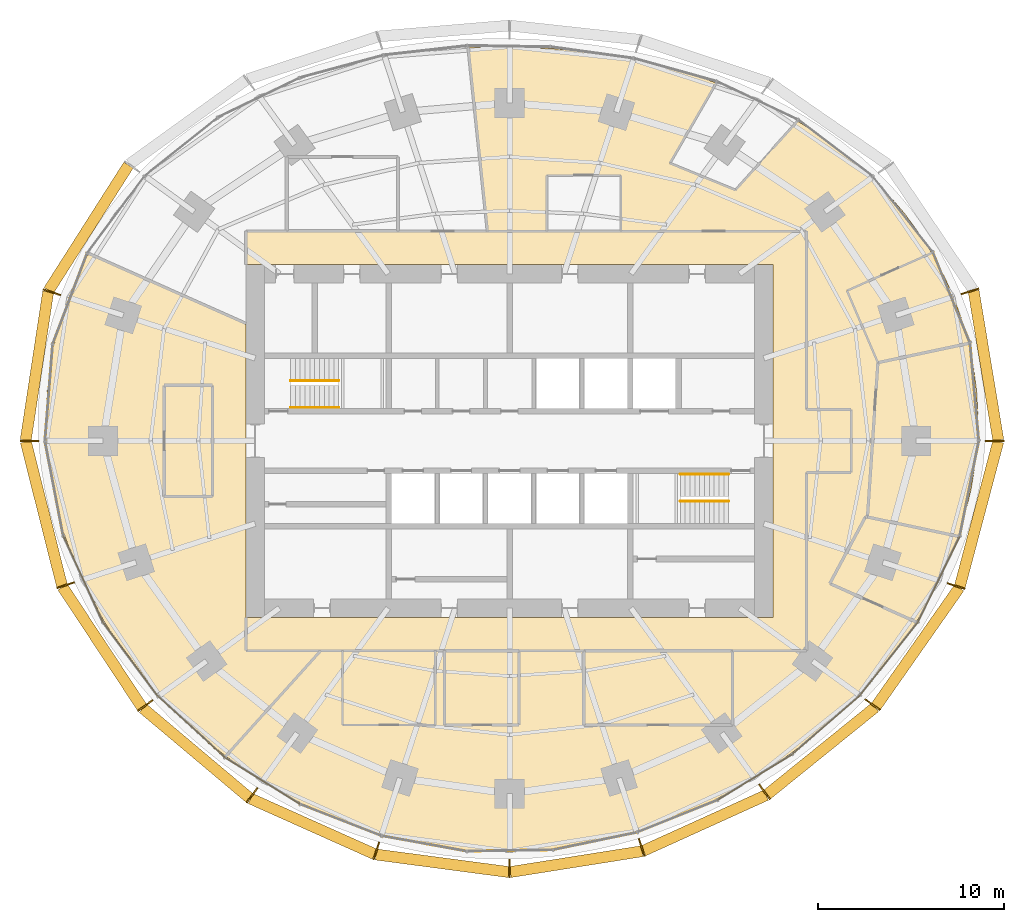
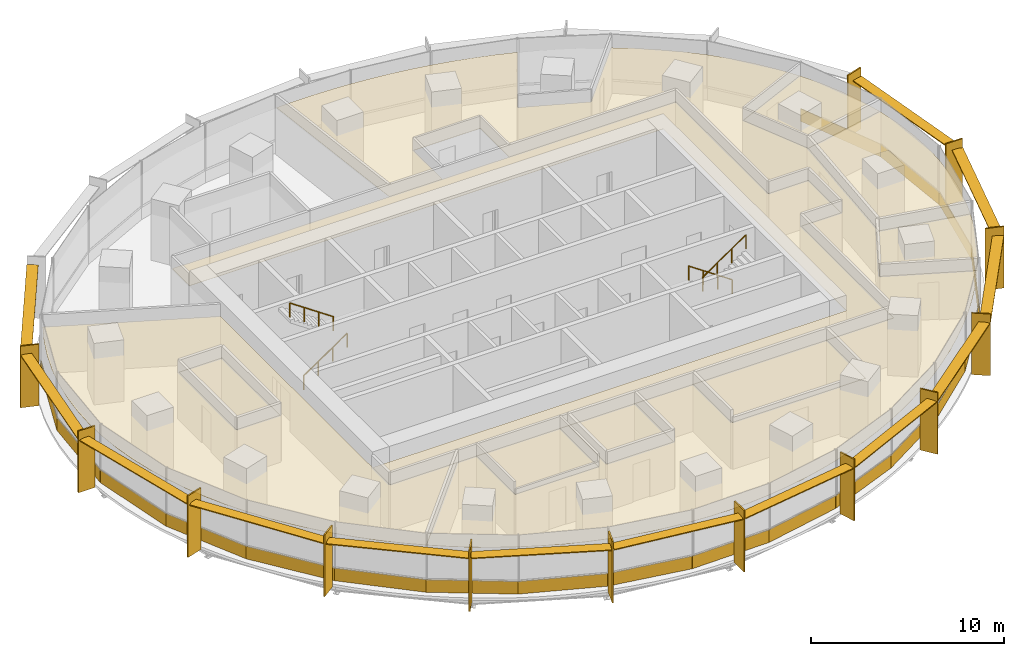
# One storey, part 13 of 14: 29 coverings, 26 shading devices, 4 railings.
"""IFC4 building model written with IfcOpenShell, lengths in metres."""

from ifc_helpers import new_model, si_unit, direction, frame, origin, origin_2d, place, context, subcontext, project, spatial, polyline, rectangle, circle, outline, extrude, material, layer, layer_set, type_object, element, save


model = new_model("IFC4")

# Units and contexts
model_context = context("Model", 3, precision=1e-05, world=origin(), true_north=direction((0.0, 1.0)))
body_context = subcontext(model_context, "Body", "Model", "MODEL_VIEW")
ifc_project = project(units=[si_unit("LENGTHUNIT", "METRE"), si_unit("AREAUNIT", "SQUARE_METRE"), si_unit("VOLUMEUNIT", "CUBIC_METRE"), si_unit("PLANEANGLEUNIT", "RADIAN"), si_unit("MASSUNIT", "GRAM", prefix="KILO")], contexts=[model_context])

# Site, building, storey
site_placement = place(None, origin())
site = spatial("IfcSite", under=ifc_project, at=site_placement, CompositionType="ELEMENT")
building_placement = place(site_placement, origin())
building = spatial("IfcBuilding", under=site, at=building_placement, Name="Marramba Exchange Tower", CompositionType="ELEMENT")
storey_placement = place(building_placement, frame((0.0, 0.0, 131.39990234375)))
storey = spatial("IfcBuildingStorey", under=building, at=storey_placement, Name="L31", CompositionType="ELEMENT", Elevation=131.39990234375)

# Shading devices
ifc_material_1 = material(Name="Aluminium blade, timber-look bronze finish", Category="wood")
ifc_layer_1 = layer(ifc_material_1, 0.080078125)
ifc_layer_set_1 = layer_set([ifc_layer_1], Name="Floor-edge blade 1000x80")
shading_device_type_1 = type_object("IfcShadingDeviceType", Name="Floor-edge blade 1000x80", PredefinedType="USERDEFINED", material=ifc_layer_set_1)
for number, where, z_axis, x_axis, name in (
    (1, (26.132080078125, 0.0, -0.159912109375), (0.0, 0.0, 1.0), (1.0, 0.0, 0.0), "Floor-edge blade FB1 L31 TC01"),
    (2, (24.798583984375, 8.0576171875, -0.159912109375), (0.0, 0.0, 1.0), (0.951056516295, 0.309016994375, 0.0), "Floor-edge blade FB1 L31 TC02"),
    (3, (-24.653076171875, 8.01025390625, -0.159912109375), (0.0, 0.0, 1.0), (-0.951056516295, 0.309016994375, 0.0), "Floor-edge blade FB1 L31 TC10"),
    (4, (-25.867919921875, 0.0, -0.159912109375), (0.0, 0.0, 1.0), (-1.0, 0.0, 0.0), "Floor-edge blade FB1 L31 TC11"),
    (5, (-23.90673828125, -7.767822265625, -0.159912109375), (0.0, 0.0, 1.0), (-0.951056516295, -0.309016994375, 0.0), "Floor-edge blade FB1 L31 TC12"),
    (6, (-19.618408203125, -14.253662109375, -0.159912109375), (0.0, 0.0, 1.0), (-0.809016994375, -0.587785252292, 0.0), "Floor-edge blade FB1 L31 TC13"),
    (7, (-13.866943359375, -19.08642578125, -0.159912109375), (0.0, 0.0, 1.0), (-0.587785252292, -0.809016994375, 0.0), "Floor-edge blade FB1 L31 TC14"),
    (8, (-7.173828125, -22.078857421875, -0.159912109375), (0.0, 0.0, 1.0), (-0.309016994375, -0.951056516295, 0.0), "Floor-edge blade FB1 L31 TC15"),
    (9, (0.0, -23.02685546875, -0.159912109375), (0.0, 0.0, 1.0), (0.0, -1.0, 0.0), "Floor-edge blade FB1 L31 TC16"),
    (10, (7.115966796875, -21.900634765625, -0.159912109375), (0.0, 0.0, 1.0), (0.309016994375, -0.951056516295, 0.0), "Floor-edge blade FB1 L31 TC17"),
    (11, (13.733154296875, -18.902099609375, -0.159912109375), (0.0, 0.0, 1.0), (0.587785252292, -0.809016994375, 0.0), "Floor-edge blade FB1 L31 TC18"),
    (12, (19.555908203125, -14.208251953125, -0.159912109375), (0.0, 0.0, 1.0), (0.809016994375, -0.587785252292, 0.0), "Floor-edge blade FB1 L31 TC19"),
    (13, (24.052001953125, -7.81494140625, -0.159912109375), (0.0, 0.0, 1.0), (0.951056516295, -0.309016994375, 0.0), "Floor-edge blade FB1 L31 TC20"),
):
    element("IfcShadingDevice", number, at=place(storey_placement, frame(where, z_axis=z_axis, x_axis=x_axis)), inside=storey, type_object=shading_device_type_1, Name=name, ObjectType="FIN", PredefinedType="USERDEFINED", context=body_context, shape_type="SweptSolid", body=[
        extrude(rectangle(XDim=1.0, YDim=0.080078125, at=origin_2d()), origin(), (0.0, 0.0, 1.0), 3.89990234375),
    ])
ifc_material_2 = material(Name="Aluminium sunshade, bronze anodised", Category="aluminium")
ifc_layer_2 = layer(ifc_material_2, 0.06005859375)
ifc_layer_set_2 = layer_set([ifc_layer_2], Name="SUNSHADE blade 600x60")
shading_device_type_2 = type_object("IfcShadingDeviceType", Name="SUNSHADE blade 600x60", PredefinedType="USERDEFINED", material=ifc_layer_set_2)
shading_device_1_placement = place(storey_placement, frame((25.660400390625, 4.0595703125, 3.16015625), z_axis=(0.0, 0.0, 1.0), x_axis=(-0.163227675764, 0.986588427798, 0.0)))
element("IfcShadingDevice", 14, at=shading_device_1_placement, inside=storey, type_object=shading_device_type_2, Name="Sunshade SS1 L31 bay 01", ObjectType="SUNSHADE", PredefinedType="USERDEFINED", context=body_context, shape_type="SweptSolid", body=[
    extrude(rectangle(XDim=8.149658203125, YDim=0.60009765625, at=origin_2d()), origin(), (0.0, 0.0, 1.0), 0.06005859375),
])
shading_device_2_placement = place(storey_placement, frame((-22.6708984375, 11.482421875, 3.16015625), z_axis=(0.0, 0.0, 1.0), x_axis=(-0.537284770546, -0.843400898351, 0.0)))
element("IfcShadingDevice", 15, at=shading_device_2_placement, inside=storey, type_object=shading_device_type_2, Name="Sunshade SS1 L31 bay 09", ObjectType="SUNSHADE", PredefinedType="USERDEFINED", context=body_context, shape_type="SweptSolid", body=[
    extrude(rectangle(XDim=8.007080078125, YDim=0.60009765625, at=origin_2d()), origin(), (0.0, 0.0, 1.0), 0.06005859375),
])
shading_device_3_placement = place(storey_placement, frame((-25.455810546875, 4.0361328125, 3.16015625), z_axis=(0.0, 0.0, 1.0), x_axis=(-0.14999307077, -0.988687047918, 0.0)))
element("IfcShadingDevice", 16, at=shading_device_3_placement, inside=storey, type_object=shading_device_type_2, Name="Sunshade SS1 L31 bay 10", ObjectType="SUNSHADE", PredefinedType="USERDEFINED", context=body_context, shape_type="SweptSolid", body=[
    extrude(rectangle(XDim=8.08447265625, YDim=0.60009765625, at=origin_2d()), origin(), (0.0, 0.0, 1.0), 0.06005859375),
])
shading_device_4_placement = place(storey_placement, frame((-25.08251953125, -3.914794921875, 3.16015625), z_axis=(0.0, 0.0, 1.0), x_axis=(0.244116522902, -0.969745906537, 0.0)))
element("IfcShadingDevice", 17, at=shading_device_4_placement, inside=storey, type_object=shading_device_type_2, Name="Sunshade SS1 L31 bay 11", ObjectType="SUNSHADE", PredefinedType="USERDEFINED", context=body_context, shape_type="SweptSolid", body=[
    extrude(rectangle(XDim=7.993896484375, YDim=0.60009765625, at=origin_2d()), origin(), (0.0, 0.0, 1.0), 0.06005859375),
])
shading_device_5_placement = place(storey_placement, frame((-21.938720703125, -11.100341796875, 3.16015625), z_axis=(0.0, 0.0, 1.0), x_axis=(0.550792342935, -0.834642315585, 0.0)))
element("IfcShadingDevice", 18, at=shading_device_5_placement, inside=storey, type_object=shading_device_type_2, Name="Sunshade SS1 L31 bay 12", ObjectType="SUNSHADE", PredefinedType="USERDEFINED", context=body_context, shape_type="SweptSolid", body=[
    extrude(rectangle(XDim=7.757568359375, YDim=0.60009765625, at=origin_2d()), origin(), (0.0, 0.0, 1.0), 0.06005859375),
])
shading_device_6_placement = place(storey_placement, frame((-16.88232421875, -16.8095703125, 3.16015625), z_axis=(0.0, 0.0, 1.0), x_axis=(0.76513863304, -0.643865569998, 0.0)))
element("IfcShadingDevice", 19, at=shading_device_6_placement, inside=storey, type_object=shading_device_type_2, Name="Sunshade SS1 L31 bay 13", ObjectType="SUNSHADE", PredefinedType="USERDEFINED", context=body_context, shape_type="SweptSolid", body=[
    extrude(rectangle(XDim=7.49462890625, YDim=0.60009765625, at=origin_2d()), origin(), (0.0, 0.0, 1.0), 0.06005859375),
])
shading_device_7_placement = place(storey_placement, frame((-10.610107421875, -20.758544921875, 3.16015625), z_axis=(0.0, 0.0, 1.0), x_axis=(0.912735880581, -0.408550134377, 0.0)))
element("IfcShadingDevice", 20, at=shading_device_7_placement, inside=storey, type_object=shading_device_type_2, Name="Sunshade SS1 L31 bay 14", ObjectType="SUNSHADE", PredefinedType="USERDEFINED", context=body_context, shape_type="SweptSolid", body=[
    extrude(rectangle(XDim=7.314208984375, YDim=0.60009765625, at=origin_2d()), origin(), (0.0, 0.0, 1.0), 0.06005859375),
])
shading_device_8_placement = place(storey_placement, frame((-3.617919921875, -22.748046875, 3.16015625), z_axis=(0.0, 0.0, 1.0), x_axis=(0.991350478855, -0.131241106646, 0.0)))
element("IfcShadingDevice", 21, at=shading_device_8_placement, inside=storey, type_object=shading_device_type_2, Name="Sunshade SS1 L31 bay 15", ObjectType="SUNSHADE", PredefinedType="USERDEFINED", context=body_context, shape_type="SweptSolid", body=[
    extrude(rectangle(XDim=7.21875, YDim=0.60009765625, at=origin_2d()), origin(), (0.0, 0.0, 1.0), 0.06005859375),
])
shading_device_9_placement = place(storey_placement, frame((3.5888671875, -22.658935546875, 3.16015625), z_axis=(0.0, 0.0, 1.0), x_axis=(0.987704817912, 0.15633039587, 0.0)))
element("IfcShadingDevice", 22, at=shading_device_9_placement, inside=storey, type_object=shading_device_type_2, Name="Sunshade SS1 L31 bay 16", ObjectType="SUNSHADE", PredefinedType="USERDEFINED", context=body_context, shape_type="SweptSolid", body=[
    extrude(rectangle(XDim=7.18701171875, YDim=0.60009765625, at=origin_2d()), origin(), (0.0, 0.0, 1.0), 0.06005859375),
])
shading_device_10_placement = place(storey_placement, frame((10.514404296875, -20.577392578125, 3.16015625), z_axis=(0.0, 0.0, 1.0), x_axis=(0.910692240548, 0.413085515366, 0.0)))
element("IfcShadingDevice", 23, at=shading_device_10_placement, inside=storey, type_object=shading_device_type_2, Name="Sunshade SS1 L31 bay 17", ObjectType="SUNSHADE", PredefinedType="USERDEFINED", context=body_context, shape_type="SweptSolid", body=[
    extrude(rectangle(XDim=7.24755859375, YDim=0.60009765625, at=origin_2d()), origin(), (0.0, 0.0, 1.0), 0.06005859375),
])
shading_device_11_placement = place(storey_placement, frame((16.7841796875, -16.69482421875, 3.16015625), z_axis=(0.0, 0.0, 1.0), x_axis=(0.777962439436, 0.628310785223, 0.0)))
element("IfcShadingDevice", 24, at=shading_device_11_placement, inside=storey, type_object=shading_device_type_2, Name="Sunshade SS1 L31 bay 18", ObjectType="SUNSHADE", PredefinedType="USERDEFINED", context=body_context, shape_type="SweptSolid", body=[
    extrude(rectangle(XDim=7.46142578125, YDim=0.60009765625, at=origin_2d()), origin(), (0.0, 0.0, 1.0), 0.06005859375),
])
shading_device_12_placement = place(storey_placement, frame((21.97998046875, -11.101318359375, 3.16015625), z_axis=(0.0, 0.0, 1.0), x_axis=(0.574350885858, 0.818609222959, 0.0)))
element("IfcShadingDevice", 25, at=shading_device_12_placement, inside=storey, type_object=shading_device_type_2, Name="Sunshade SS1 L31 bay 19", ObjectType="SUNSHADE", PredefinedType="USERDEFINED", context=body_context, shape_type="SweptSolid", body=[
    extrude(rectangle(XDim=7.7978515625, YDim=0.60009765625, at=origin_2d()), origin(), (0.0, 0.0, 1.0), 0.06005859375),
])
shading_device_13_placement = place(storey_placement, frame((25.287109375, -3.9384765625, 3.16015625), z_axis=(0.0, 0.0, 1.0), x_axis=(0.256422950151, 0.966564674833, 0.0)))
element("IfcShadingDevice", 26, at=shading_device_13_placement, inside=storey, type_object=shading_device_type_2, Name="Sunshade SS1 L31 bay 20", ObjectType="SUNSHADE", PredefinedType="USERDEFINED", context=body_context, shape_type="SweptSolid", body=[
    extrude(rectangle(XDim=8.0693359375, YDim=0.60009765625, at=origin_2d()), origin(), (0.0, 0.0, 1.0), 0.06005859375),
])

# Coverings
ifc_material_3 = material(Name="Aluminium spandrel panel, bronze anodised, insulated", Category="aluminium")
ifc_layer_3 = layer(ifc_material_3, 0.050048828125)
ifc_layer_set_3 = layer_set([ifc_layer_3], Name="Spandrel panel 800")
covering_type_1 = type_object("IfcCoveringType", Name="Spandrel panel 800", PredefinedType="CLADDING", material=ifc_layer_set_3)
covering_1_placement = place(storey_placement, frame((25.04541015625, 2.63671875, 0.0), z_axis=(0.0, 0.0, 1.0), x_axis=(-0.089412890131, 0.995994646109, 0.0)))
element("IfcCovering", 27, at=covering_1_placement, inside=storey, type_object=covering_type_1, Name="Spandrel panel SP1 L31 F01", PredefinedType="CLADDING", context=body_context, shape_type="SweptSolid", body=[
    extrude(rectangle(XDim=5.29443359375, YDim=0.050048828125, at=origin_2d()), origin(), (0.0, 0.0, 1.0), 0.800048828125),
])
covering_2_placement = place(storey_placement, frame((23.81201171875, 7.715576171875, 0.0), z_axis=(0.0, 0.0, 1.0), x_axis=(-0.377821185272, 0.925878583811, 0.0)))
element("IfcCovering", 28, at=covering_2_placement, inside=storey, type_object=covering_type_1, Name="Spandrel panel SP1 L31 F02", PredefinedType="CLADDING", context=body_context, shape_type="SweptSolid", body=[
    extrude(rectangle(XDim=5.27587890625, YDim=0.050048828125, at=origin_2d()), origin(), (0.0, 0.0, 1.0), 0.800048828125),
])
covering_3_placement = place(storey_placement, frame((-23.671875, 7.677490234375, 0.0), z_axis=(0.0, 0.0, 1.0), x_axis=(-0.354844476365, -0.934925343326, 0.0)))
element("IfcCovering", 29, at=covering_3_placement, inside=storey, type_object=covering_type_1, Name="Spandrel panel SP1 L31 F14", PredefinedType="CLADDING", context=body_context, shape_type="SweptSolid", body=[
    extrude(rectangle(XDim=5.2373046875, YDim=0.050048828125, at=origin_2d()), origin(), (0.0, 0.0, 1.0), 0.800048828125),
])
covering_4_placement = place(storey_placement, frame((-24.8095703125, 2.614501953125, 0.0), z_axis=(0.0, 0.0, 1.0), x_axis=(-0.079459700697, -0.996838079111, 0.0)))
element("IfcCovering", 30, at=covering_4_placement, inside=storey, type_object=covering_type_1, Name="Spandrel panel SP1 L31 F15", PredefinedType="CLADDING", context=body_context, shape_type="SweptSolid", body=[
    extrude(rectangle(XDim=5.245849609375, YDim=0.050048828125, at=origin_2d()), origin(), (0.0, 0.0, 1.0), 0.800048828125),
])
covering_5_placement = place(storey_placement, frame((-24.5283203125, -2.5546875, 0.0), z_axis=(0.0, 0.0, 1.0), x_axis=(0.188227222909, -0.982125507538, 0.0)))
element("IfcCovering", 31, at=covering_5_placement, inside=storey, type_object=covering_type_1, Name="Spandrel panel SP1 L31 F16", PredefinedType="CLADDING", context=body_context, shape_type="SweptSolid", body=[
    extrude(rectangle(XDim=5.20263671875, YDim=0.050048828125, at=origin_2d()), origin(), (0.0, 0.0, 1.0), 0.800048828125),
])
covering_6_placement = place(storey_placement, frame((-22.973876953125, -7.43212890625, 0.0), z_axis=(0.0, 0.0, 1.0), x_axis=(0.416737850896, -0.909026712275, 0.0)))
element("IfcCovering", 32, at=covering_6_placement, inside=storey, type_object=covering_type_1, Name="Spandrel panel SP1 L31 F17", PredefinedType="CLADDING", context=body_context, shape_type="SweptSolid", body=[
    extrude(rectangle(XDim=5.10986328125, YDim=0.050048828125, at=origin_2d()), origin(), (0.0, 0.0, 1.0), 0.800048828125),
])
covering_7_placement = place(storey_placement, frame((-20.419921875, -11.75439453125, 0.0), z_axis=(0.0, 0.0, 1.0), x_axis=(0.597304701232, -0.802014397555, 0.0)))
element("IfcCovering", 33, at=covering_7_placement, inside=storey, type_object=covering_type_1, Name="Spandrel panel SP1 L31 F18", PredefinedType="CLADDING", context=body_context, shape_type="SweptSolid", body=[
    extrude(rectangle(XDim=4.986572265625, YDim=0.050048828125, at=origin_2d()), origin(), (0.0, 0.0, 1.0), 0.800048828125),
])
covering_8_placement = place(storey_placement, frame((-17.135986328125, -15.39599609375, 0.0), z_axis=(0.0, 0.0, 1.0), x_axis=(0.737821889246, -0.674995451651, 0.0)))
element("IfcCovering", 34, at=covering_8_placement, inside=storey, type_object=covering_type_1, Name="Spandrel panel SP1 L31 F19", PredefinedType="CLADDING", context=body_context, shape_type="SweptSolid", body=[
    extrude(rectangle(XDim=4.865234375, YDim=0.050048828125, at=origin_2d()), origin(), (0.0, 0.0, 1.0), 0.800048828125),
])
covering_9_placement = place(storey_placement, frame((-13.31787109375, -18.300537109375, 0.0), z_axis=(0.0, 0.0, 1.0), x_axis=(0.848354599309, -0.529428440708, 0.0)))
element("IfcCovering", 35, at=covering_9_placement, inside=storey, type_object=covering_type_1, Name="Spandrel panel SP1 L31 F20", PredefinedType="CLADDING", context=body_context, shape_type="SweptSolid", body=[
    extrude(rectangle(XDim=4.76953125, YDim=0.050048828125, at=origin_2d()), origin(), (0.0, 0.0, 1.0), 0.800048828125),
])
covering_10_placement = place(storey_placement, frame((-9.10302734375, -20.416748046875, 0.0), z_axis=(0.0, 0.0, 1.0), x_axis=(0.931818387481, -0.362924913381, 0.0)))
element("IfcCovering", 36, at=covering_10_placement, inside=storey, type_object=covering_type_1, Name="Spandrel panel SP1 L31 F21", PredefinedType="CLADDING", context=body_context, shape_type="SweptSolid", body=[
    extrude(rectangle(XDim=4.704345703125, YDim=0.050048828125, at=origin_2d()), origin(), (0.0, 0.0, 1.0), 0.800048828125),
])
covering_11_placement = place(storey_placement, frame((-4.616943359375, -21.685302734375, 0.0), z_axis=(0.0, 0.0, 1.0), x_axis=(0.984031866928, -0.177992373069, 0.0)))
element("IfcCovering", 37, at=covering_11_placement, inside=storey, type_object=covering_type_1, Name="Spandrel panel SP1 L31 F22", PredefinedType="CLADDING", context=body_context, shape_type="SweptSolid", body=[
    extrude(rectangle(XDim=4.662841796875, YDim=0.050048828125, at=origin_2d()), origin(), (0.0, 0.0, 1.0), 0.800048828125),
])
covering_12_placement = place(storey_placement, frame((-0.003662109375, -22.065185546875, 0.0), z_axis=(0.0, 0.0, 1.0), x_axis=(0.999884797651, 0.015178650325, 0.0)))
element("IfcCovering", 38, at=covering_12_placement, inside=storey, type_object=covering_type_1, Name="Spandrel panel SP1 L31 F23", PredefinedType="CLADDING", context=body_context, shape_type="SweptSolid", body=[
    extrude(rectangle(XDim=4.638916015625, YDim=0.050048828125, at=origin_2d()), origin(), (0.0, 0.0, 1.0), 0.800048828125),
])
covering_13_placement = place(storey_placement, frame((4.58447265625, -21.56103515625, 0.0), z_axis=(0.0, 0.0, 1.0), x_axis=(0.979310200528, 0.202364846604, 0.0)))
element("IfcCovering", 39, at=covering_13_placement, inside=storey, type_object=covering_type_1, Name="Spandrel panel SP1 L31 F24", PredefinedType="CLADDING", context=body_context, shape_type="SweptSolid", body=[
    extrude(rectangle(XDim=4.6337890625, YDim=0.050048828125, at=origin_2d()), origin(), (0.0, 0.0, 1.0), 0.800048828125),
])
covering_14_placement = place(storey_placement, frame((9.014892578125, -20.225341796875, 0.0), z_axis=(0.0, 0.0, 1.0), x_axis=(0.928148914987, 0.372209069755, 0.0)))
element("IfcCovering", 40, at=covering_14_placement, inside=storey, type_object=covering_type_1, Name="Spandrel panel SP1 L31 F25", PredefinedType="CLADDING", context=body_context, shape_type="SweptSolid", body=[
    extrude(rectangle(XDim=4.657958984375, YDim=0.050048828125, at=origin_2d()), origin(), (0.0, 0.0, 1.0), 0.800048828125),
])
covering_15_placement = place(storey_placement, frame((13.193115234375, -18.125244140625, 0.0), z_axis=(0.0, 0.0, 1.0), x_axis=(0.853109118827, 0.521732528576, 0.0)))
element("IfcCovering", 41, at=covering_15_placement, inside=storey, type_object=covering_type_1, Name="Spandrel panel SP1 L31 F26", PredefinedType="CLADDING", context=body_context, shape_type="SweptSolid", body=[
    extrude(rectangle(XDim=4.7275390625, YDim=0.050048828125, at=origin_2d()), origin(), (0.0, 0.0, 1.0), 0.800048828125),
])
covering_16_placement = place(storey_placement, frame((17.038818359375, -15.30029296875, 0.0), z_axis=(0.0, 0.0, 1.0), x_axis=(0.754385510875, 0.656431642277, 0.0)))
element("IfcCovering", 42, at=covering_16_placement, inside=storey, type_object=covering_type_1, Name="Spandrel panel SP1 L31 F27", PredefinedType="CLADDING", context=body_context, shape_type="SweptSolid", body=[
    extrude(rectangle(XDim=4.849609375, YDim=0.050048828125, at=origin_2d()), origin(), (0.0, 0.0, 1.0), 0.800048828125),
])
covering_17_placement = place(storey_placement, frame((20.425048828125, -11.747802734375, 0.0), z_axis=(0.0, 0.0, 1.0), x_axis=(0.621807470279, 0.783170141097, 0.0)))
element("IfcCovering", 43, at=covering_17_placement, inside=storey, type_object=covering_type_1, Name="Spandrel panel SP1 L31 F28", PredefinedType="CLADDING", context=body_context, shape_type="SweptSolid", body=[
    extrude(rectangle(XDim=5.00732421875, YDim=0.050048828125, at=origin_2d()), origin(), (0.0, 0.0, 1.0), 0.800048828125),
])
covering_18_placement = place(storey_placement, frame((23.114013671875, -7.47021484375, 0.0), z_axis=(0.0, 0.0, 1.0), x_axis=(0.439086346903, 0.898444867515, 0.0)))
element("IfcCovering", 44, at=covering_18_placement, inside=storey, type_object=covering_type_1, Name="Spandrel panel SP1 L31 F29", PredefinedType="CLADDING", context=body_context, shape_type="SweptSolid", body=[
    extrude(rectangle(XDim=5.156982421875, YDim=0.050048828125, at=origin_2d()), origin(), (0.0, 0.0, 1.0), 0.800048828125),
])
covering_19_placement = place(storey_placement, frame((24.76416015625, -2.576904296875, 0.0), z_axis=(0.0, 0.0, 1.0), x_axis=(0.197048514193, 0.980393738788, 0.0)))
element("IfcCovering", 45, at=covering_19_placement, inside=storey, type_object=covering_type_1, Name="Spandrel panel SP1 L31 F30", PredefinedType="CLADDING", context=body_context, shape_type="SweptSolid", body=[
    extrude(rectangle(XDim=5.2568359375, YDim=0.050048828125, at=origin_2d()), origin(), (0.0, 0.0, 1.0), 0.800048828125),
])

# Railings
ifc_material_4 = material(Name="Stainless steel handrail", Category="steel")
railing_type = type_object("IfcRailingType", Name="Stair handrail 900", PredefinedType="HANDRAIL", material=ifc_material_4)
railing_1_placement = place(storey_placement, frame((-11.800048828125, 1.800048828125, 0.177490234375)))
element("IfcRailing", 46, at=railing_1_placement, inside=storey, type_object=railing_type, Name="Handrail HR1 ST1 L31 flight 1", PredefinedType="HANDRAIL", context=body_context, shape_type="SweptSolid", body=[
    extrude(circle(Radius=0.02392578125, at=origin_2d()), frame((0.0, 0.0, 0.8759765625), z_axis=(0.826240473404, 0.0, 0.563317565952), x_axis=(0.0, 1.0, 0.0)), (0.0, 0.0, 1.0), 3.14697265625),
    extrude(circle(Radius=0.02099609375, at=origin_2d()), origin(), (0.0, 0.0, 1.0), 0.851806640625),
    extrude(circle(Radius=0.02099609375, at=origin_2d()), frame((0.86669921875, 0.0, 0.5908203125)), (0.0, 0.0, 1.0), 0.851806640625),
    extrude(circle(Radius=0.02099609375, at=origin_2d()), frame((1.7333984375, 0.0, 1.181884765625)), (0.0, 0.0, 1.0), 0.851806640625),
    extrude(circle(Radius=0.02099609375, at=origin_2d()), frame((2.60009765625, 0.0, 1.772705078125)), (0.0, 0.0, 1.0), 0.851806640625),
])
for number, where, name in (
    (47, (-9.199951171875, 3.25, 2.12744140625), "Handrail HR1 ST1 L31 flight 2"),
    (48, (11.800048828125, -1.800048828125, 0.177490234375), "Handrail HR1 ST2 L31 flight 1"),
):
    element("IfcRailing", number, at=place(storey_placement, frame(where)), inside=storey, type_object=railing_type, Name=name, PredefinedType="HANDRAIL", context=body_context, shape_type="SweptSolid", body=[
        extrude(circle(Radius=0.02392578125, at=origin_2d()), frame((0.0, 0.0, 0.8759765625), z_axis=(-0.826240473404, 0.0, 0.563317565952), x_axis=(0.0, -1.0, 0.0)), (0.0, 0.0, 1.0), 3.14697265625),
        extrude(circle(Radius=0.02099609375, at=origin_2d()), origin(), (0.0, 0.0, 1.0), 0.851806640625),
        extrude(circle(Radius=0.02099609375, at=origin_2d()), frame((-0.86669921875, 0.0, 0.5908203125)), (0.0, 0.0, 1.0), 0.851806640625),
        extrude(circle(Radius=0.02099609375, at=origin_2d()), frame((-1.7333984375, 0.0, 1.181884765625)), (0.0, 0.0, 1.0), 0.851806640625),
        extrude(circle(Radius=0.02099609375, at=origin_2d()), frame((-2.60009765625, 0.0, 1.772705078125)), (0.0, 0.0, 1.0), 0.851806640625),
    ])
railing_2_placement = place(storey_placement, frame((9.199951171875, -3.25, 2.12744140625)))
element("IfcRailing", 49, at=railing_2_placement, inside=storey, type_object=railing_type, Name="Handrail HR1 ST2 L31 flight 2", PredefinedType="HANDRAIL", context=body_context, shape_type="SweptSolid", body=[
    extrude(circle(Radius=0.02392578125, at=origin_2d()), frame((0.0, 0.0, 0.8759765625), z_axis=(0.826240473404, 0.0, 0.563317565952), x_axis=(0.0, 1.0, 0.0)), (0.0, 0.0, 1.0), 3.14697265625),
    extrude(circle(Radius=0.02099609375, at=origin_2d()), origin(), (0.0, 0.0, 1.0), 0.851806640625),
    extrude(circle(Radius=0.02099609375, at=origin_2d()), frame((0.86669921875, 0.0, 0.5908203125)), (0.0, 0.0, 1.0), 0.851806640625),
    extrude(circle(Radius=0.02099609375, at=origin_2d()), frame((1.7333984375, 0.0, 1.181884765625)), (0.0, 0.0, 1.0), 0.851806640625),
    extrude(circle(Radius=0.02099609375, at=origin_2d()), frame((2.60009765625, 0.0, 1.772705078125)), (0.0, 0.0, 1.0), 0.851806640625),
])

# Coverings
ifc_material_5 = material(Name="Mineral fibre ceiling tiles", Category="gypsum")
ifc_layer_4 = layer(ifc_material_5, 0.02001953125)
ifc_layer_set_4 = layer_set([ifc_layer_4], Name="Suspended ceiling 20")
covering_type_2 = type_object("IfcCoveringType", Name="Suspended ceiling 20", PredefinedType="CEILING", material=ifc_layer_set_4)
covering_20_placement = place(storey_placement, frame((0.0, 0.0, 2.900146484375)))
element("IfcCovering", 50, at=covering_20_placement, inside=storey, type_object=covering_type_2, Name="Ceiling CL1 L31 Open Plan Office 1", PredefinedType="CEILING", context=body_context, shape_type="SweptSolid", body=[
    extrude(outline(polyline([(16.0, -1.699951171875), (18.39990234375, -1.699951171875), (18.39990234375, 1.699951171875), (16.0, 1.699951171875), (16.0, 11.300048828125), (6.0, 11.300048828125), (6.0, 14.300048828125), (2.0, 14.300048828125), (2.0, 11.300048828125), (-1.187744140625, 11.300048828125), (-2.2294921875, 21.212158203125), (-1.11328125, 21.244384765625), (0.0, 21.2431640625), (1.111572265625, 21.208740234375), (2.22216796875, 21.1416015625), (3.332763671875, 21.041748046875), (4.444091796875, 20.907958984375), (5.556884765625, 20.739013671875), (6.671630859375, 20.533203125), (7.787841796875, 20.287841796875), (8.905029296875, 20.0009765625), (10.02197265625, 19.6689453125), (11.13671875, 19.289306640625), (8.63671875, 14.958984375), (12.166748046875, 13.512451171875), (15.512451171875, 17.228271484375), (16.563720703125, 16.563720703125), (17.5869140625, 15.835205078125), (18.5751953125, 15.041748046875), (19.521484375, 14.18310546875), (20.4189453125, 13.26025390625), (21.259765625, 12.2744140625), (22.03662109375, 11.228271484375), (22.7421875, 10.12548828125), (18.174560546875, 8.091796875), (19.839599609375, 4.217041015625), (19.277099609375, -4.097412109375), (19.179443359375, -4.07666015625), (17.24951171875, -7.679931640625), (21.90869140625, -9.75439453125), (21.197509765625, -10.80078125), (20.439697265625, -11.80078125), (19.64013671875, -12.75439453125), (18.803466796875, -13.66162109375), (17.93359375, -14.5224609375), (17.033935546875, -15.33740234375), (16.107421875, -16.107421875), (15.156005859375, -16.83251953125), (14.181884765625, -17.51318359375), (13.1865234375, -18.14990234375), (12.171142578125, -18.741943359375), (11.13671875, -19.289306640625), (10.083984375, -19.791259765625), (9.0146484375, -20.2470703125), (7.928955078125, -20.65576171875), (6.82861328125, -21.01611328125), (5.714599609375, -21.3271484375), (4.58837890625, -21.587158203125), (3.4521484375, -21.79541015625), (2.30712890625, -21.950439453125), (1.15576171875, -22.05126953125), (0.0, -22.096923828125), (-1.157470703125, -22.0869140625), (-2.314453125, -22.020751953125), (-3.468505859375, -21.898193359375), (-4.61669921875, -21.719482421875), (-5.7568359375, -21.484619140625), (-6.886474609375, -21.1943359375), (-8.00341796875, -20.84912109375), (-9.10498046875, -20.4501953125), (-10.189453125, -19.997802734375), (-11.2548828125, -19.493896484375), (-12.299072265625, -18.938720703125), (-13.3203125, -18.333984375), (-14.317138671875, -17.68017578125), (-15.28759765625, -16.978515625), (-10.174560546875, -11.300048828125), (-9.0, -11.300048828125), (-9.0, -15.300048828125), (-4.0, -15.300048828125), (-4.0, -11.300048828125), (-3.5, -11.300048828125), (-3.5, -15.300048828125), (0.5, -15.300048828125), (0.5, -11.300048828125), (4.0, -11.300048828125), (4.0, -15.300048828125), (12.0, -15.300048828125), (12.0, -11.300048828125), (16.0, -11.300048828125), (16.0, -1.699951171875)])), origin(), (0.0, 0.0, 1.0), 0.02001953125),
])
covering_21_placement = place(storey_placement, frame((0.0, 0.0, 2.900146484375)))
element("IfcCovering", 51, at=covering_21_placement, inside=storey, type_object=covering_type_2, Name="Ceiling CL1 L31 Office 3", PredefinedType="CEILING", context=body_context, shape_type="SweptSolid", body=[
    extrude(outline(polyline([(-14.199951171875, -9.5), (-14.199951171875, -11.300048828125), (-10.174560546875, -11.300048828125), (-14.12744140625, -15.690185546875), (-15.28759765625, -16.978515625), (-16.229736328125, -16.229736328125), (-17.1416015625, -15.434326171875), (-18.021240234375, -14.59326171875), (-18.865966796875, -13.706787109375), (-19.673095703125, -12.77587890625), (-20.439697265625, -11.80078125), (-21.162109375, -10.78271484375), (-21.836181640625, -9.72216796875), (-22.457763671875, -8.62060546875), (-23.022216796875, -7.48046875), (-23.52490234375, -6.303466796875), (-23.96044921875, -5.093017578125), (-24.32421875, -3.8525390625), (-24.611083984375, -2.586669921875), (-24.81689453125, -1.300537109375), (-24.93798828125, 0.0), (-24.970947265625, 1.30859375), (-24.913330078125, 2.618408203125), (-24.76416015625, 3.92236328125), (-24.52294921875, 5.21240234375), (-24.1904296875, 6.481689453125), (-23.768798828125, 7.722900390625), (-23.260498046875, 8.928955078125), (-22.669677734375, 10.09326171875), (-18.59912109375, 8.281005859375), (-14.199951171875, 6.322265625), (-14.199951171875, -9.5)]), holes=[polyline([(-16.0, 3.0), (-18.60009765625, 3.0), (-18.60009765625, -3.0), (-16.0, -3.0), (-16.0, 3.0)])]), origin(), (0.0, 0.0, 1.0), 0.02001953125),
])
covering_22_placement = place(storey_placement, frame((0.0, 0.0, 2.900146484375)))
element("IfcCovering", 52, at=covering_22_placement, inside=storey, type_object=covering_type_2, Name="Ceiling CL1 L31 Corridor", PredefinedType="CEILING", context=body_context, shape_type="SweptSolid", body=[
    extrude(outline(polyline([(18.39990234375, -1.699951171875), (16.0, -1.699951171875), (16.0, -11.300048828125), (-14.199951171875, -11.300048828125), (-14.199951171875, -9.5), (14.199951171875, -9.5), (14.199951171875, -1.699951171875), (14.199951171875, 1.699951171875), (14.199951171875, 9.5), (-14.199951171875, 9.5), (-14.199951171875, 11.300048828125), (16.0, 11.300048828125), (16.0, 1.699951171875), (18.39990234375, 1.699951171875), (18.39990234375, -1.699951171875)])), origin(), (0.0, 0.0, 1.0), 0.02001953125),
])
covering_23_placement = place(storey_placement, frame((0.0, 0.0, 2.900146484375)))
element("IfcCovering", 53, at=covering_23_placement, inside=storey, type_object=covering_type_2, Name="Ceiling CL1 L31 Office 1", PredefinedType="CEILING", context=body_context, shape_type="SweptSolid", body=[
    extrude(outline(polyline([(22.854736328125, 9.91845703125), (23.3701171875, 8.970947265625), (23.9140625, 7.77001953125), (24.368896484375, 6.529541015625), (24.510009765625, 6.03271484375), (24.73046875, 5.256591796875), (19.839599609375, 4.217041015625), (18.174560546875, 8.091796875), (22.7421875, 10.12548828125), (22.854736328125, 9.91845703125)])), origin(), (0.0, 0.0, 1.0), 0.02001953125),
])
covering_24_placement = place(storey_placement, frame((0.0, 0.0, 2.900146484375)))
element("IfcCovering", 54, at=covering_24_placement, inside=storey, type_object=covering_type_2, Name="Ceiling CL1 L31 Meeting Room 1", PredefinedType="CEILING", context=body_context, shape_type="SweptSolid", body=[
    extrude(outline(polyline([(23.703125, -6.351318359375), (23.16748046875, -7.527587890625), (22.580810546875, -8.637451171875), (22.5673828125, -8.662841796875), (22.556640625, -8.6806640625), (21.90869140625, -9.75439453125), (17.24951171875, -7.679931640625), (19.179443359375, -4.07666015625), (24.16796875, -5.136962890625), (23.703125, -6.351318359375)])), origin(), (0.0, 0.0, 1.0), 0.02001953125),
])
covering_25_placement = place(storey_placement, frame((0.0, 0.0, 2.900146484375)))
element("IfcCovering", 55, at=covering_25_placement, inside=storey, type_object=covering_type_2, Name="Ceiling CL1 L31 Meeting Room 2", PredefinedType="CEILING", context=body_context, shape_type="SweptSolid", body=[
    extrude(outline(polyline([(24.86328125, 4.6064453125), (24.99560546875, 3.958984375), (25.16259765625, 2.644775390625), (25.186279296875, 2.190185546875), (25.231201171875, 1.322265625), (25.201904296875, 0.0), (25.181884765625, -0.212646484375), (25.077392578125, -1.314208984375), (24.96533203125, -1.984619140625), (24.8603515625, -2.61279296875), (24.80078125, -2.862548828125), (24.555419921875, -3.88916015625), (24.16796875, -5.136962890625), (19.277099609375, -4.097412109375), (19.839599609375, 4.217041015625), (24.73046875, 5.256591796875), (24.86328125, 4.6064453125)])), origin(), (0.0, 0.0, 1.0), 0.02001953125),
])
covering_26_placement = place(storey_placement, frame((0.0, 0.0, 2.900146484375)))
element("IfcCovering", 56, at=covering_26_placement, inside=storey, type_object=covering_type_2, Name="Ceiling CL1 L31 Meeting Room 3", PredefinedType="CEILING", context=body_context, shape_type="SweptSolid", body=[
    extrude(outline(polyline([(12.0, -15.300048828125), (4.0, -15.300048828125), (4.0, -11.300048828125), (12.0, -11.300048828125), (12.0, -15.300048828125)])), origin(), (0.0, 0.0, 1.0), 0.02001953125),
])
covering_27_placement = place(storey_placement, frame((0.0, 0.0, 2.900146484375)))
element("IfcCovering", 57, at=covering_27_placement, inside=storey, type_object=covering_type_2, Name="Ceiling CL1 L31 Pantry", PredefinedType="CEILING", context=body_context, shape_type="SweptSolid", body=[
    extrude(outline(polyline([(-4.0, -15.300048828125), (-9.0, -15.300048828125), (-9.0, -11.300048828125), (-4.0, -11.300048828125), (-4.0, -15.300048828125)])), origin(), (0.0, 0.0, 1.0), 0.02001953125),
])
covering_28_placement = place(storey_placement, frame((0.0, 0.0, 2.900146484375)))
element("IfcCovering", 58, at=covering_28_placement, inside=storey, type_object=covering_type_2, Name="Ceiling CL1 L31 Quiet Room 1", PredefinedType="CEILING", context=body_context, shape_type="SweptSolid", body=[
    extrude(outline(polyline([(0.5, -15.300048828125), (-3.5, -15.300048828125), (-3.5, -11.300048828125), (0.5, -11.300048828125), (0.5, -15.300048828125)])), origin(), (0.0, 0.0, 1.0), 0.02001953125),
])
covering_29_placement = place(storey_placement, frame((0.0, 0.0, 2.900146484375)))
element("IfcCovering", 59, at=covering_29_placement, inside=storey, type_object=covering_type_2, Name="Ceiling CL1 L31 Quiet Room 2", PredefinedType="CEILING", context=body_context, shape_type="SweptSolid", body=[
    extrude(outline(polyline([(-16.0, -3.0), (-18.60009765625, -3.0), (-18.60009765625, 3.0), (-16.0, 3.0), (-16.0, -3.0)])), origin(), (0.0, 0.0, 1.0), 0.02001953125),
])

save(model, "model.ifc")
